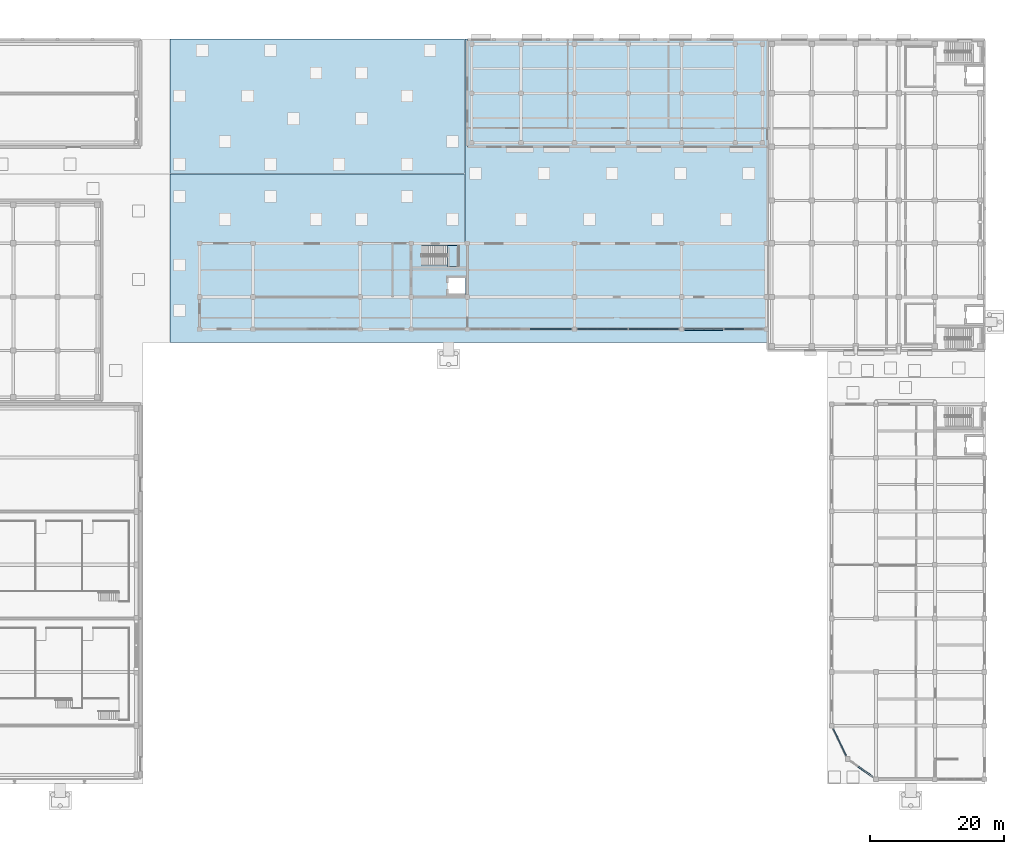
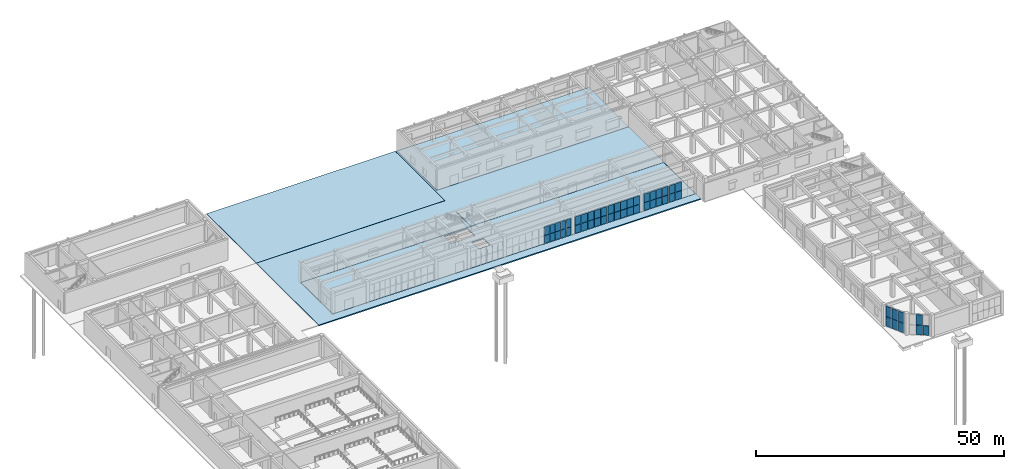
# One storey, part 24 of 46: 51 plates, 5 slabs, 8 elements without a shape of their own.
"""IFC4 building model written with IfcOpenShell, lengths in metres."""

from ifc_helpers import new_model, si_unit, direction, frame, origin, origin_2d, place, context, subcontext, project, spatial, polyline, rectangle, outline, extrude, material, layer, layer_set, type_object, element, aggregate, save


model = new_model("IFC4")

# Units and contexts
model_context = context("Model", 3, precision=1e-05, world=origin(), true_north=direction((0.0, 1.0)))
body_context = subcontext(model_context, "Body", "Model", "MODEL_VIEW")
ifc_project = project(units=[si_unit("LENGTHUNIT", "METRE"), si_unit("AREAUNIT", "SQUARE_METRE"), si_unit("VOLUMEUNIT", "CUBIC_METRE"), si_unit("PLANEANGLEUNIT", "RADIAN"), si_unit("MASSUNIT", "GRAM", prefix="KILO")], contexts=[model_context])

# Site, building, storey
site_placement = place(None, origin())
site = spatial("IfcSite", under=ifc_project, at=site_placement, CompositionType="ELEMENT")
building_placement = place(site_placement, origin())
building = spatial("IfcBuilding", under=site, at=building_placement, Name="Cinchona Park Media Centre", CompositionType="ELEMENT")
storey_placement = place(building_placement, origin())
storey = spatial("IfcBuildingStorey", under=building, at=storey_placement, Name="L00", CompositionType="ELEMENT", Elevation=0.0)

# Curtain wall, plates
ifc_material_1 = material(Name="Aluminium Curtain Wall Framing", Category="aluminium")
ifc_layer_1 = layer(ifc_material_1, 0.22509765625)
ifc_layer_set_1 = layer_set([ifc_layer_1], Name="Aluminium Curtain Wall Framing")
curtain_wall_type_1 = type_object("IfcCurtainWallType", Name="CW-CW04", PredefinedType="USERDEFINED", material=ifc_layer_set_1)
curtain_wall_1_placement = place(storey_placement, origin())
curtain_wall_1 = element("IfcCurtainWall", 1, at=curtain_wall_1_placement, inside=storey, type_object=curtain_wall_type_1, Name="Curtain Wall CW04 L00", ObjectType="UNITISED CURTAIN WALL", PredefinedType="USERDEFINED")
ifc_material_2 = material(Name="Insulated Acoustic Aluminium-Glass Spandrel Cassette", Category="aluminium")
ifc_layer_2 = layer(ifc_material_2, 0.179931640625)
ifc_layer_set_2 = layer_set([ifc_layer_2], Name="Insulated Acoustic Aluminium-Glass Spandrel Cassette")
plate_type_1 = type_object("IfcPlateType", Name="CWPANEL-PNL17", PredefinedType="CURTAIN_PANEL", material=ifc_layer_set_2)
plate_1_placement = place(storey_placement, frame((151.041015625, 11.7646484375, 0.115234375), z_axis=(0.0, 0.0, 1.0), x_axis=(-0.43273106758, 0.901523057471, 0.0)))
plate_1 = element("IfcPlate", 2, at=plate_1_placement, type_object=plate_type_1, Name="CW04 panel 1.1", PredefinedType="CURTAIN_PANEL", context=body_context, shape_type="SweptSolid", body=[
    extrude(rectangle(XDim=1.39990234375, YDim=0.179931640625, at=origin_2d()), origin(), (0.0, 0.0, 1.0), 2.345458984375),
])
plate_2_placement = place(storey_placement, frame((151.041015625, 11.7646484375, 2.525390625), z_axis=(0.0, 0.0, 1.0), x_axis=(-0.43273106758, 0.901523057471, 0.0)))
plate_2 = element("IfcPlate", 3, at=plate_2_placement, type_object=plate_type_1, Name="CW04 panel 1.2", PredefinedType="CURTAIN_PANEL", context=body_context, shape_type="SweptSolid", body=[
    extrude(rectangle(XDim=1.39990234375, YDim=0.179931640625, at=origin_2d()), origin(), (0.0, 0.0, 1.0), 2.549560546875),
])
plate_3_placement = place(storey_placement, frame((150.39990234375, 13.10009765625, 0.115234375), z_axis=(0.0, 0.0, 1.0), x_axis=(-0.43273106758, 0.901523057471, 0.0)))
plate_3 = element("IfcPlate", 4, at=plate_3_placement, type_object=plate_type_1, Name="CW04 panel 2.1", PredefinedType="CURTAIN_PANEL", context=body_context, shape_type="SweptSolid", body=[
    extrude(rectangle(XDim=1.432373046875, YDim=0.179931640625, at=origin_2d()), origin(), (0.0, 0.0, 1.0), 2.345458984375),
])
plate_4_placement = place(storey_placement, frame((150.39990234375, 13.10009765625, 2.525390625), z_axis=(0.0, 0.0, 1.0), x_axis=(-0.43273106758, 0.901523057471, 0.0)))
plate_4 = element("IfcPlate", 5, at=plate_4_placement, type_object=plate_type_1, Name="CW04 panel 2.2", PredefinedType="CURTAIN_PANEL", context=body_context, shape_type="SweptSolid", body=[
    extrude(rectangle(XDim=1.432373046875, YDim=0.179931640625, at=origin_2d()), origin(), (0.0, 0.0, 1.0), 2.549560546875),
])
plate_5_placement = place(storey_placement, frame((149.759033203125, 14.435302734375, 0.115234375), z_axis=(0.0, 0.0, 1.0), x_axis=(-0.43273106758, 0.901523057471, 0.0)))
plate_5 = element("IfcPlate", 6, at=plate_5_placement, type_object=plate_type_1, Name="CW04 panel 3.1", PredefinedType="CURTAIN_PANEL", context=body_context, shape_type="SweptSolid", body=[
    extrude(rectangle(XDim=1.39990234375, YDim=0.179931640625, at=origin_2d()), origin(), (0.0, 0.0, 1.0), 2.345458984375),
])
plate_6_placement = place(storey_placement, frame((149.759033203125, 14.435302734375, 2.525390625), z_axis=(0.0, 0.0, 1.0), x_axis=(-0.43273106758, 0.901523057471, 0.0)))
plate_6 = element("IfcPlate", 7, at=plate_6_placement, type_object=plate_type_1, Name="CW04 panel 3.2", PredefinedType="CURTAIN_PANEL", context=body_context, shape_type="SweptSolid", body=[
    extrude(rectangle(XDim=1.39990234375, YDim=0.179931640625, at=origin_2d()), origin(), (0.0, 0.0, 1.0), 2.549560546875),
])
aggregate(curtain_wall_1, [plate_1, plate_2, plate_3, plate_4, plate_5, plate_6])

curtain_wall_2_placement = place(storey_placement, origin())
curtain_wall_2 = element("IfcCurtainWall", 8, at=curtain_wall_2_placement, inside=storey, type_object=curtain_wall_type_1, Name="Curtain Wall CW04 L00", ObjectType="UNITISED CURTAIN WALL", PredefinedType="USERDEFINED")
ifc_material_3 = material(Name="Insulated Acoustic Aluminium-Glass Spandrel Cassette", Category="aluminium")
ifc_layer_3 = layer(ifc_material_3, 0.18994140625)
ifc_layer_set_3 = layer_set([ifc_layer_3], Name="Insulated Acoustic Aluminium-Glass Spandrel Cassette")
plate_type_2 = type_object("IfcPlateType", Name="CWPANEL-PNL18", PredefinedType="CURTAIN_PANEL", material=ifc_layer_set_3)
plate_7_placement = place(storey_placement, frame((109.73876953125, 74.800048828125, 0.114990234375), z_axis=(0.0, 0.0, 1.0), x_axis=(-1.0, 0.0, 0.0)))
plate_7 = element("IfcPlate", 9, at=plate_7_placement, type_object=plate_type_2, Name="CW04 panel 1.1", PredefinedType="CURTAIN_PANEL", context=body_context, shape_type="SweptSolid", body=[
    extrude(rectangle(XDim=1.152587890625, YDim=0.18994140625, at=origin_2d()), origin(), (0.0, 0.0, 1.0), 1.9375),
])
plate_8_placement = place(storey_placement, frame((109.73876953125, 74.800048828125, 2.117431640625), z_axis=(0.0, 0.0, 1.0), x_axis=(-1.0, 0.0, 0.0)))
plate_8 = element("IfcPlate", 10, at=plate_8_placement, type_object=plate_type_2, Name="CW04 panel 1.2", PredefinedType="CURTAIN_PANEL", context=body_context, shape_type="SweptSolid", body=[
    extrude(rectangle(XDim=1.152587890625, YDim=0.18994140625, at=origin_2d()), origin(), (0.0, 0.0, 1.0), 2.107421875),
])
plate_9_placement = place(storey_placement, frame((108.5048828125, 74.800048828125, 0.114990234375), z_axis=(0.0, 0.0, 1.0), x_axis=(-1.0, 0.0, 0.0)))
plate_9 = element("IfcPlate", 11, at=plate_9_placement, type_object=plate_type_2, Name="CW04 panel 2.1", PredefinedType="CURTAIN_PANEL", context=body_context, shape_type="SweptSolid", body=[
    extrude(rectangle(XDim=1.18505859375, YDim=0.18994140625, at=origin_2d()), origin(), (0.0, 0.0, 1.0), 1.9375),
])
plate_10_placement = place(storey_placement, frame((108.5048828125, 74.800048828125, 2.117431640625), z_axis=(0.0, 0.0, 1.0), x_axis=(-1.0, 0.0, 0.0)))
plate_10 = element("IfcPlate", 12, at=plate_10_placement, type_object=plate_type_2, Name="CW04 panel 2.2", PredefinedType="CURTAIN_PANEL", context=body_context, shape_type="SweptSolid", body=[
    extrude(rectangle(XDim=1.18505859375, YDim=0.18994140625, at=origin_2d()), origin(), (0.0, 0.0, 1.0), 2.107421875),
])
plate_11_placement = place(storey_placement, frame((107.2548828125, 74.800048828125, 0.114990234375), z_axis=(0.0, 0.0, 1.0), x_axis=(-1.0, 0.0, 0.0)))
plate_11 = element("IfcPlate", 13, at=plate_11_placement, type_object=plate_type_2, Name="CW04 panel 3.1", PredefinedType="CURTAIN_PANEL", context=body_context, shape_type="SweptSolid", body=[
    extrude(rectangle(XDim=1.18505859375, YDim=0.18994140625, at=origin_2d()), origin(), (0.0, 0.0, 1.0), 1.9375),
])
plate_12_placement = place(storey_placement, frame((107.2548828125, 74.800048828125, 2.117431640625), z_axis=(0.0, 0.0, 1.0), x_axis=(-1.0, 0.0, 0.0)))
plate_12 = element("IfcPlate", 14, at=plate_12_placement, type_object=plate_type_2, Name="CW04 panel 3.2", PredefinedType="CURTAIN_PANEL", context=body_context, shape_type="SweptSolid", body=[
    extrude(rectangle(XDim=1.18505859375, YDim=0.18994140625, at=origin_2d()), origin(), (0.0, 0.0, 1.0), 2.107421875),
])
plate_13_placement = place(storey_placement, frame((106.0048828125, 74.800048828125, 0.114990234375), z_axis=(0.0, 0.0, 1.0), x_axis=(-1.0, 0.0, 0.0)))
plate_13 = element("IfcPlate", 15, at=plate_13_placement, type_object=plate_type_2, Name="CW04 panel 4.1", PredefinedType="CURTAIN_PANEL", context=body_context, shape_type="SweptSolid", body=[
    extrude(rectangle(XDim=1.18505859375, YDim=0.18994140625, at=origin_2d()), origin(), (0.0, 0.0, 1.0), 1.9375),
])
plate_14_placement = place(storey_placement, frame((106.0048828125, 74.800048828125, 2.117431640625), z_axis=(0.0, 0.0, 1.0), x_axis=(-1.0, 0.0, 0.0)))
plate_14 = element("IfcPlate", 16, at=plate_14_placement, type_object=plate_type_2, Name="CW04 panel 4.2", PredefinedType="CURTAIN_PANEL", context=body_context, shape_type="SweptSolid", body=[
    extrude(rectangle(XDim=1.18505859375, YDim=0.18994140625, at=origin_2d()), origin(), (0.0, 0.0, 1.0), 2.107421875),
])
plate_15_placement = place(storey_placement, frame((104.7548828125, 74.800048828125, 0.114990234375), z_axis=(0.0, 0.0, 1.0), x_axis=(-1.0, 0.0, 0.0)))
plate_15 = element("IfcPlate", 17, at=plate_15_placement, type_object=plate_type_2, Name="CW04 panel 5.1", PredefinedType="CURTAIN_PANEL", context=body_context, shape_type="SweptSolid", body=[
    extrude(rectangle(XDim=1.18505859375, YDim=0.18994140625, at=origin_2d()), origin(), (0.0, 0.0, 1.0), 1.9375),
])
plate_16_placement = place(storey_placement, frame((104.7548828125, 74.800048828125, 2.117431640625), z_axis=(0.0, 0.0, 1.0), x_axis=(-1.0, 0.0, 0.0)))
plate_16 = element("IfcPlate", 18, at=plate_16_placement, type_object=plate_type_2, Name="CW04 panel 5.2", PredefinedType="CURTAIN_PANEL", context=body_context, shape_type="SweptSolid", body=[
    extrude(rectangle(XDim=1.18505859375, YDim=0.18994140625, at=origin_2d()), origin(), (0.0, 0.0, 1.0), 2.107421875),
])
aggregate(curtain_wall_2, [plate_7, plate_8, plate_9, plate_10, plate_11, plate_12, plate_13, plate_14, plate_15, plate_16])

ifc_material_4 = material(Name="Aluminium Curtain Wall Framing", Category="aluminium")
ifc_layer_4 = layer(ifc_material_4, 0.2548828125)
ifc_layer_set_4 = layer_set([ifc_layer_4], Name="Aluminium Curtain Wall Framing")
curtain_wall_type_2 = type_object("IfcCurtainWallType", Name="CW-CW06", PredefinedType="USERDEFINED", material=ifc_layer_set_4)
curtain_wall_3_placement = place(storey_placement, origin())
curtain_wall_3 = element("IfcCurtainWall", 19, at=curtain_wall_3_placement, inside=storey, type_object=curtain_wall_type_2, Name="Curtain Wall CW06 L00", ObjectType="UNITISED CURTAIN WALL", PredefinedType="USERDEFINED")
ifc_material_5 = material(Name="Insulated Acoustic Aluminium-Glass Spandrel Cassette", Category="aluminium")
ifc_layer_5 = layer(ifc_material_5, 0.199951171875)
ifc_layer_set_5 = layer_set([ifc_layer_5], Name="Insulated Acoustic Aluminium-Glass Spandrel Cassette")
plate_type_3 = type_object("IfcPlateType", Name="CWPANEL-PNL19", PredefinedType="CURTAIN_PANEL", material=ifc_layer_set_5)
plate_17_placement = place(storey_placement, frame((154.787353515625, 8.322998046875, 0.125), z_axis=(0.0, 0.0, 1.0), x_axis=(-0.813600504321, 0.581424302355, 0.0)))
plate_17 = element("IfcPlate", 20, at=plate_17_placement, type_object=plate_type_3, Name="CW06 panel 1.1", PredefinedType="CURTAIN_PANEL", context=body_context, shape_type="SweptSolid", body=[
    extrude(rectangle(XDim=1.24267578125, YDim=0.199951171875, at=origin_2d()), origin(), (0.0, 0.0, 1.0), 2.33056640625),
])
plate_18_placement = place(storey_placement, frame((153.699951171875, 9.10009765625, 0.125), z_axis=(0.0, 0.0, 1.0), x_axis=(-0.813600504321, 0.581424302355, 0.0)))
plate_18 = element("IfcPlate", 21, at=plate_18_placement, type_object=plate_type_3, Name="CW06 panel 2.1", PredefinedType="CURTAIN_PANEL", context=body_context, shape_type="SweptSolid", body=[
    extrude(rectangle(XDim=1.2802734375, YDim=0.199951171875, at=origin_2d()), origin(), (0.0, 0.0, 1.0), 2.33056640625),
])
plate_19_placement = place(storey_placement, frame((153.699951171875, 9.10009765625, 2.53076171875), z_axis=(0.0, 0.0, 1.0), x_axis=(-0.813600504321, 0.581424302355, 0.0)))
plate_19 = element("IfcPlate", 22, at=plate_19_placement, type_object=plate_type_3, Name="CW06 panel 2.2", PredefinedType="CURTAIN_PANEL", context=body_context, shape_type="SweptSolid", body=[
    extrude(rectangle(XDim=1.2802734375, YDim=0.199951171875, at=origin_2d()), origin(), (0.0, 0.0, 1.0), 2.534423828125),
])
aggregate(curtain_wall_3, [plate_17, plate_18, plate_19])

curtain_wall_4_placement = place(storey_placement, origin())
curtain_wall_4 = element("IfcCurtainWall", 23, at=curtain_wall_4_placement, inside=storey, type_object=curtain_wall_type_2, Name="Curtain Wall CW06 L00", ObjectType="UNITISED CURTAIN WALL", PredefinedType="USERDEFINED")
ifc_material_6 = material(Name="Insulated Acoustic Aluminium-Glass Spandrel Cassette", Category="aluminium")
ifc_layer_6 = layer(ifc_material_6, 0.219970703125)
ifc_layer_set_6 = layer_set([ifc_layer_6], Name="Insulated Acoustic Aluminium-Glass Spandrel Cassette")
plate_type_4 = type_object("IfcPlateType", Name="CWPANEL-PNL21", PredefinedType="CURTAIN_PANEL", material=ifc_layer_set_6)
plate_20_placement = place(storey_placement, frame((125.611328125, 74.800048828125, 0.125), z_axis=(0.0, 0.0, 1.0), x_axis=(-1.0, 0.0, 0.0)))
plate_20 = element("IfcPlate", 24, at=plate_20_placement, type_object=plate_type_4, Name="CW06 panel 1.1", PredefinedType="CURTAIN_PANEL", context=body_context, shape_type="SweptSolid", body=[
    extrude(rectangle(XDim=1.387451171875, YDim=0.219970703125, at=origin_2d()), origin(), (0.0, 0.0, 1.0), 1.922607421875),
])
plate_21_placement = place(storey_placement, frame((125.611328125, 74.800048828125, 2.12255859375), z_axis=(0.0, 0.0, 1.0), x_axis=(-1.0, 0.0, 0.0)))
plate_21 = element("IfcPlate", 25, at=plate_21_placement, type_object=plate_type_4, Name="CW06 panel 1.2", PredefinedType="CURTAIN_PANEL", context=body_context, shape_type="SweptSolid", body=[
    extrude(rectangle(XDim=1.387451171875, YDim=0.219970703125, at=origin_2d()), origin(), (0.0, 0.0, 1.0), 2.092529296875),
])
plate_22_placement = place(storey_placement, frame((124.1298828125, 74.800048828125, 0.125), z_axis=(0.0, 0.0, 1.0), x_axis=(-1.0, 0.0, 0.0)))
plate_22 = element("IfcPlate", 26, at=plate_22_placement, type_object=plate_type_4, Name="CW06 panel 2.1", PredefinedType="CURTAIN_PANEL", context=body_context, shape_type="SweptSolid", body=[
    extrude(rectangle(XDim=1.425048828125, YDim=0.219970703125, at=origin_2d()), origin(), (0.0, 0.0, 1.0), 1.922607421875),
])
plate_23_placement = place(storey_placement, frame((124.1298828125, 74.800048828125, 2.12255859375), z_axis=(0.0, 0.0, 1.0), x_axis=(-1.0, 0.0, 0.0)))
plate_23 = element("IfcPlate", 27, at=plate_23_placement, type_object=plate_type_4, Name="CW06 panel 2.2", PredefinedType="CURTAIN_PANEL", context=body_context, shape_type="SweptSolid", body=[
    extrude(rectangle(XDim=1.425048828125, YDim=0.219970703125, at=origin_2d()), origin(), (0.0, 0.0, 1.0), 2.092529296875),
])
plate_24_placement = place(storey_placement, frame((122.6298828125, 74.800048828125, 0.125), z_axis=(0.0, 0.0, 1.0), x_axis=(-1.0, 0.0, 0.0)))
plate_24 = element("IfcPlate", 28, at=plate_24_placement, type_object=plate_type_4, Name="CW06 panel 3.1", PredefinedType="CURTAIN_PANEL", context=body_context, shape_type="SweptSolid", body=[
    extrude(rectangle(XDim=1.425048828125, YDim=0.219970703125, at=origin_2d()), origin(), (0.0, 0.0, 1.0), 1.922607421875),
])
plate_25_placement = place(storey_placement, frame((122.6298828125, 74.800048828125, 2.12255859375), z_axis=(0.0, 0.0, 1.0), x_axis=(-1.0, 0.0, 0.0)))
plate_25 = element("IfcPlate", 29, at=plate_25_placement, type_object=plate_type_4, Name="CW06 panel 3.2", PredefinedType="CURTAIN_PANEL", context=body_context, shape_type="SweptSolid", body=[
    extrude(rectangle(XDim=1.425048828125, YDim=0.219970703125, at=origin_2d()), origin(), (0.0, 0.0, 1.0), 2.092529296875),
])
plate_26_placement = place(storey_placement, frame((121.1298828125, 74.800048828125, 0.125), z_axis=(0.0, 0.0, 1.0), x_axis=(-1.0, 0.0, 0.0)))
plate_26 = element("IfcPlate", 30, at=plate_26_placement, type_object=plate_type_4, Name="CW06 panel 4.1", PredefinedType="CURTAIN_PANEL", context=body_context, shape_type="SweptSolid", body=[
    extrude(rectangle(XDim=1.425048828125, YDim=0.219970703125, at=origin_2d()), origin(), (0.0, 0.0, 1.0), 1.922607421875),
])
plate_27_placement = place(storey_placement, frame((121.1298828125, 74.800048828125, 2.12255859375), z_axis=(0.0, 0.0, 1.0), x_axis=(-1.0, 0.0, 0.0)))
plate_27 = element("IfcPlate", 31, at=plate_27_placement, type_object=plate_type_4, Name="CW06 panel 4.2", PredefinedType="CURTAIN_PANEL", context=body_context, shape_type="SweptSolid", body=[
    extrude(rectangle(XDim=1.425048828125, YDim=0.219970703125, at=origin_2d()), origin(), (0.0, 0.0, 1.0), 2.092529296875),
])
plate_28_placement = place(storey_placement, frame((119.648681640625, 74.800048828125, 0.125), z_axis=(0.0, 0.0, 1.0), x_axis=(-1.0, 0.0, 0.0)))
plate_28 = element("IfcPlate", 32, at=plate_28_placement, type_object=plate_type_4, Name="CW06 panel 5.1", PredefinedType="CURTAIN_PANEL", context=body_context, shape_type="SweptSolid", body=[
    extrude(rectangle(XDim=1.387451171875, YDim=0.219970703125, at=origin_2d()), origin(), (0.0, 0.0, 1.0), 1.922607421875),
])
plate_29_placement = place(storey_placement, frame((119.648681640625, 74.800048828125, 2.12255859375), z_axis=(0.0, 0.0, 1.0), x_axis=(-1.0, 0.0, 0.0)))
plate_29 = element("IfcPlate", 33, at=plate_29_placement, type_object=plate_type_4, Name="CW06 panel 5.2", PredefinedType="CURTAIN_PANEL", context=body_context, shape_type="SweptSolid", body=[
    extrude(rectangle(XDim=1.387451171875, YDim=0.219970703125, at=origin_2d()), origin(), (0.0, 0.0, 1.0), 2.092529296875),
])
aggregate(curtain_wall_4, [plate_20, plate_21, plate_22, plate_23, plate_24, plate_25, plate_26, plate_27, plate_28, plate_29])

ifc_material_7 = material(Name="Aluminium Curtain Wall Framing", Category="aluminium")
ifc_layer_7 = layer(ifc_material_7, 0.27001953125)
ifc_layer_set_7 = layer_set([ifc_layer_7], Name="Aluminium Curtain Wall Framing")
curtain_wall_type_3 = type_object("IfcCurtainWallType", Name="CW-CW07", PredefinedType="USERDEFINED", material=ifc_layer_set_7)
curtain_wall_5_placement = place(storey_placement, origin())
curtain_wall_5 = element("IfcCurtainWall", 34, at=curtain_wall_5_placement, inside=storey, type_object=curtain_wall_type_3, Name="Curtain Wall CW07 L00", ObjectType="UNITISED CURTAIN WALL", PredefinedType="USERDEFINED")
ifc_material_8 = material(Name="Insulated Acoustic Aluminium-Glass Spandrel Cassette", Category="aluminium")
ifc_layer_8 = layer(ifc_material_8, 0.239990234375)
ifc_layer_set_8 = layer_set([ifc_layer_8], Name="Insulated Acoustic Aluminium-Glass Spandrel Cassette")
plate_type_5 = type_object("IfcPlateType", Name="CWPANEL-PNL23", PredefinedType="CURTAIN_PANEL", material=ifc_layer_set_8)
plate_30_placement = place(storey_placement, frame((117.951171875, 74.800048828125, 0.125), z_axis=(0.0, 0.0, 1.0), x_axis=(-1.0, 0.0, 0.0)))
plate_30 = element("IfcPlate", 35, at=plate_30_placement, type_object=plate_type_5, Name="CW07 panel 1.1", PredefinedType="CURTAIN_PANEL", context=body_context, shape_type="SweptSolid", body=[
    extrude(rectangle(XDim=1.387451171875, YDim=0.239990234375, at=origin_2d()), origin(), (0.0, 0.0, 1.0), 1.922607421875),
])
plate_31_placement = place(storey_placement, frame((117.951171875, 74.800048828125, 2.12255859375), z_axis=(0.0, 0.0, 1.0), x_axis=(-1.0, 0.0, 0.0)))
plate_31 = element("IfcPlate", 36, at=plate_31_placement, type_object=plate_type_5, Name="CW07 panel 1.2", PredefinedType="CURTAIN_PANEL", context=body_context, shape_type="SweptSolid", body=[
    extrude(rectangle(XDim=1.387451171875, YDim=0.239990234375, at=origin_2d()), origin(), (0.0, 0.0, 1.0), 2.092529296875),
])
plate_32_placement = place(storey_placement, frame((116.469970703125, 74.800048828125, 0.125), z_axis=(0.0, 0.0, 1.0), x_axis=(-1.0, 0.0, 0.0)))
plate_32 = element("IfcPlate", 37, at=plate_32_placement, type_object=plate_type_5, Name="CW07 panel 2.1", PredefinedType="CURTAIN_PANEL", context=body_context, shape_type="SweptSolid", body=[
    extrude(rectangle(XDim=1.425048828125, YDim=0.239990234375, at=origin_2d()), origin(), (0.0, 0.0, 1.0), 1.922607421875),
])
plate_33_placement = place(storey_placement, frame((116.469970703125, 74.800048828125, 2.12255859375), z_axis=(0.0, 0.0, 1.0), x_axis=(-1.0, 0.0, 0.0)))
plate_33 = element("IfcPlate", 38, at=plate_33_placement, type_object=plate_type_5, Name="CW07 panel 2.2", PredefinedType="CURTAIN_PANEL", context=body_context, shape_type="SweptSolid", body=[
    extrude(rectangle(XDim=1.425048828125, YDim=0.239990234375, at=origin_2d()), origin(), (0.0, 0.0, 1.0), 2.092529296875),
])
plate_34_placement = place(storey_placement, frame((114.969970703125, 74.800048828125, 0.125), z_axis=(0.0, 0.0, 1.0), x_axis=(-1.0, 0.0, 0.0)))
plate_34 = element("IfcPlate", 39, at=plate_34_placement, type_object=plate_type_5, Name="CW07 panel 3.1", PredefinedType="CURTAIN_PANEL", context=body_context, shape_type="SweptSolid", body=[
    extrude(rectangle(XDim=1.425048828125, YDim=0.239990234375, at=origin_2d()), origin(), (0.0, 0.0, 1.0), 1.922607421875),
])
plate_35_placement = place(storey_placement, frame((114.969970703125, 74.800048828125, 2.12255859375), z_axis=(0.0, 0.0, 1.0), x_axis=(-1.0, 0.0, 0.0)))
plate_35 = element("IfcPlate", 40, at=plate_35_placement, type_object=plate_type_5, Name="CW07 panel 3.2", PredefinedType="CURTAIN_PANEL", context=body_context, shape_type="SweptSolid", body=[
    extrude(rectangle(XDim=1.425048828125, YDim=0.239990234375, at=origin_2d()), origin(), (0.0, 0.0, 1.0), 2.092529296875),
])
plate_36_placement = place(storey_placement, frame((113.469970703125, 74.800048828125, 0.125), z_axis=(0.0, 0.0, 1.0), x_axis=(-1.0, 0.0, 0.0)))
plate_36 = element("IfcPlate", 41, at=plate_36_placement, type_object=plate_type_5, Name="CW07 panel 4.1", PredefinedType="CURTAIN_PANEL", context=body_context, shape_type="SweptSolid", body=[
    extrude(rectangle(XDim=1.425048828125, YDim=0.239990234375, at=origin_2d()), origin(), (0.0, 0.0, 1.0), 1.922607421875),
])
plate_37_placement = place(storey_placement, frame((113.469970703125, 74.800048828125, 2.12255859375), z_axis=(0.0, 0.0, 1.0), x_axis=(-1.0, 0.0, 0.0)))
plate_37 = element("IfcPlate", 42, at=plate_37_placement, type_object=plate_type_5, Name="CW07 panel 4.2", PredefinedType="CURTAIN_PANEL", context=body_context, shape_type="SweptSolid", body=[
    extrude(rectangle(XDim=1.425048828125, YDim=0.239990234375, at=origin_2d()), origin(), (0.0, 0.0, 1.0), 2.092529296875),
])
plate_38_placement = place(storey_placement, frame((111.98876953125, 74.800048828125, 0.125), z_axis=(0.0, 0.0, 1.0), x_axis=(-1.0, 0.0, 0.0)))
plate_38 = element("IfcPlate", 43, at=plate_38_placement, type_object=plate_type_5, Name="CW07 panel 5.1", PredefinedType="CURTAIN_PANEL", context=body_context, shape_type="SweptSolid", body=[
    extrude(rectangle(XDim=1.387451171875, YDim=0.239990234375, at=origin_2d()), origin(), (0.0, 0.0, 1.0), 1.922607421875),
])
plate_39_placement = place(storey_placement, frame((111.98876953125, 74.800048828125, 2.12255859375), z_axis=(0.0, 0.0, 1.0), x_axis=(-1.0, 0.0, 0.0)))
plate_39 = element("IfcPlate", 44, at=plate_39_placement, type_object=plate_type_5, Name="CW07 panel 5.2", PredefinedType="CURTAIN_PANEL", context=body_context, shape_type="SweptSolid", body=[
    extrude(rectangle(XDim=1.387451171875, YDim=0.239990234375, at=origin_2d()), origin(), (0.0, 0.0, 1.0), 2.092529296875),
])
aggregate(curtain_wall_5, [plate_30, plate_31, plate_32, plate_33, plate_34, plate_35, plate_36, plate_37, plate_38, plate_39])

ifc_material_9 = material(Name="Aluminium Curtain Wall Framing", Category="aluminium")
ifc_layer_9 = layer(ifc_material_9, 0.284912109375)
ifc_layer_set_9 = layer_set([ifc_layer_9], Name="Aluminium Curtain Wall Framing")
curtain_wall_type_4 = type_object("IfcCurtainWallType", Name="CW-CW08", PredefinedType="USERDEFINED", material=ifc_layer_set_9)
curtain_wall_6_placement = place(storey_placement, origin())
curtain_wall_6 = element("IfcCurtainWall", 45, at=curtain_wall_6_placement, inside=storey, type_object=curtain_wall_type_4, Name="Curtain Wall CW08 L00", ObjectType="UNITISED CURTAIN WALL", PredefinedType="USERDEFINED")
ifc_material_10 = material(Name="Insulated Acoustic Aluminium-Glass Spandrel Cassette", Category="aluminium")
ifc_layer_10 = layer(ifc_material_10, 0.25)
ifc_layer_set_10 = layer_set([ifc_layer_10], Name="Insulated Acoustic Aluminium-Glass Spandrel Cassette")
plate_type_6 = type_object("IfcPlateType", Name="CWPANEL-PNL24", PredefinedType="CURTAIN_PANEL", material=ifc_layer_set_10)
plate_40_placement = place(storey_placement, frame((135.35498046875, 74.800048828125, 0.1201171875), z_axis=(0.0, 0.0, 1.0), x_axis=(-1.0, 0.0, 0.0)))
plate_40 = element("IfcPlate", 46, at=plate_40_placement, type_object=plate_type_6, Name="CW08 panel 3.1", PredefinedType="CURTAIN_PANEL", context=body_context, shape_type="SweptSolid", body=[
    extrude(rectangle(XDim=1.3798828125, YDim=0.25, at=origin_2d()), origin(), (0.0, 0.0, 1.0), 1.929931640625),
])
plate_41_placement = place(storey_placement, frame((135.35498046875, 74.800048828125, 2.119873046875), z_axis=(0.0, 0.0, 1.0), x_axis=(-1.0, 0.0, 0.0)))
plate_41 = element("IfcPlate", 47, at=plate_41_placement, type_object=plate_type_6, Name="CW08 panel 3.2", PredefinedType="CURTAIN_PANEL", context=body_context, shape_type="SweptSolid", body=[
    extrude(rectangle(XDim=1.3798828125, YDim=0.25, at=origin_2d()), origin(), (0.0, 0.0, 1.0), 2.10009765625),
])
plate_42_placement = place(storey_placement, frame((133.922607421875, 74.800048828125, 0.1201171875), z_axis=(0.0, 0.0, 1.0), x_axis=(-1.0, 0.0, 0.0)))
plate_42 = element("IfcPlate", 48, at=plate_42_placement, type_object=plate_type_6, Name="CW08 panel 4.1", PredefinedType="CURTAIN_PANEL", context=body_context, shape_type="SweptSolid", body=[
    extrude(rectangle(XDim=1.344970703125, YDim=0.25, at=origin_2d()), origin(), (0.0, 0.0, 1.0), 1.929931640625),
])
plate_43_placement = place(storey_placement, frame((133.922607421875, 74.800048828125, 2.119873046875), z_axis=(0.0, 0.0, 1.0), x_axis=(-1.0, 0.0, 0.0)))
plate_43 = element("IfcPlate", 49, at=plate_43_placement, type_object=plate_type_6, Name="CW08 panel 4.2", PredefinedType="CURTAIN_PANEL", context=body_context, shape_type="SweptSolid", body=[
    extrude(rectangle(XDim=1.344970703125, YDim=0.25, at=origin_2d()), origin(), (0.0, 0.0, 1.0), 2.10009765625),
])
aggregate(curtain_wall_6, [plate_40, plate_41, plate_42, plate_43])

ifc_material_11 = material(Name="Aluminium Curtain Wall Framing", Category="aluminium")
ifc_layer_11 = layer(ifc_material_11, 0.300048828125)
ifc_layer_set_11 = layer_set([ifc_layer_11], Name="Aluminium Curtain Wall Framing")
curtain_wall_type_5 = type_object("IfcCurtainWallType", Name="CW-CW09", PredefinedType="USERDEFINED", material=ifc_layer_set_11)
curtain_wall_7_placement = place(storey_placement, origin())
curtain_wall_7 = element("IfcCurtainWall", 50, at=curtain_wall_7_placement, inside=storey, type_object=curtain_wall_type_5, Name="Curtain Wall CW09 L00", ObjectType="UNITISED CURTAIN WALL", PredefinedType="USERDEFINED")
ifc_material_12 = material(Name="Insulated Acoustic Aluminium-Glass Spandrel Cassette", Category="aluminium")
ifc_layer_12 = layer(ifc_material_12, 0.27001953125)
ifc_layer_set_12 = layer_set([ifc_layer_12], Name="Insulated Acoustic Aluminium-Glass Spandrel Cassette")
plate_type_7 = type_object("IfcPlateType", Name="CWPANEL-PNL26", PredefinedType="CURTAIN_PANEL", material=ifc_layer_set_12)
plate_44_placement = place(storey_placement, frame((132.277587890625, 74.800048828125, 0.1201171875), z_axis=(0.0, 0.0, 1.0), x_axis=(-1.0, 0.0, 0.0)))
plate_44 = element("IfcPlate", 51, at=plate_44_placement, type_object=plate_type_7, Name="CW09 panel 1.1", PredefinedType="CURTAIN_PANEL", context=body_context, shape_type="SweptSolid", body=[
    extrude(rectangle(XDim=1.344970703125, YDim=0.27001953125, at=origin_2d()), origin(), (0.0, 0.0, 1.0), 1.929931640625),
])
plate_45_placement = place(storey_placement, frame((132.277587890625, 74.800048828125, 2.119873046875), z_axis=(0.0, 0.0, 1.0), x_axis=(-1.0, 0.0, 0.0)))
plate_45 = element("IfcPlate", 52, at=plate_45_placement, type_object=plate_type_7, Name="CW09 panel 1.2", PredefinedType="CURTAIN_PANEL", context=body_context, shape_type="SweptSolid", body=[
    extrude(rectangle(XDim=1.344970703125, YDim=0.27001953125, at=origin_2d()), origin(), (0.0, 0.0, 1.0), 2.10009765625),
])
plate_46_placement = place(storey_placement, frame((130.844970703125, 74.800048828125, 0.1201171875), z_axis=(0.0, 0.0, 1.0), x_axis=(-1.0, 0.0, 0.0)))
plate_46 = element("IfcPlate", 53, at=plate_46_placement, type_object=plate_type_7, Name="CW09 panel 2.1", PredefinedType="CURTAIN_PANEL", context=body_context, shape_type="SweptSolid", body=[
    extrude(rectangle(XDim=1.3798828125, YDim=0.27001953125, at=origin_2d()), origin(), (0.0, 0.0, 1.0), 1.929931640625),
])
plate_47_placement = place(storey_placement, frame((130.844970703125, 74.800048828125, 2.119873046875), z_axis=(0.0, 0.0, 1.0), x_axis=(-1.0, 0.0, 0.0)))
plate_47 = element("IfcPlate", 54, at=plate_47_placement, type_object=plate_type_7, Name="CW09 panel 2.2", PredefinedType="CURTAIN_PANEL", context=body_context, shape_type="SweptSolid", body=[
    extrude(rectangle(XDim=1.3798828125, YDim=0.27001953125, at=origin_2d()), origin(), (0.0, 0.0, 1.0), 2.10009765625),
])
plate_48_placement = place(storey_placement, frame((129.39501953125, 74.800048828125, 0.1201171875), z_axis=(0.0, 0.0, 1.0), x_axis=(-1.0, 0.0, 0.0)))
plate_48 = element("IfcPlate", 55, at=plate_48_placement, type_object=plate_type_7, Name="CW09 panel 3.1", PredefinedType="CURTAIN_PANEL", context=body_context, shape_type="SweptSolid", body=[
    extrude(rectangle(XDim=1.3798828125, YDim=0.27001953125, at=origin_2d()), origin(), (0.0, 0.0, 1.0), 1.929931640625),
])
plate_49_placement = place(storey_placement, frame((129.39501953125, 74.800048828125, 2.119873046875), z_axis=(0.0, 0.0, 1.0), x_axis=(-1.0, 0.0, 0.0)))
plate_49 = element("IfcPlate", 56, at=plate_49_placement, type_object=plate_type_7, Name="CW09 panel 3.2", PredefinedType="CURTAIN_PANEL", context=body_context, shape_type="SweptSolid", body=[
    extrude(rectangle(XDim=1.3798828125, YDim=0.27001953125, at=origin_2d()), origin(), (0.0, 0.0, 1.0), 2.10009765625),
])
plate_50_placement = place(storey_placement, frame((127.96240234375, 74.800048828125, 0.1201171875), z_axis=(0.0, 0.0, 1.0), x_axis=(-1.0, 0.0, 0.0)))
plate_50 = element("IfcPlate", 57, at=plate_50_placement, type_object=plate_type_7, Name="CW09 panel 4.1", PredefinedType="CURTAIN_PANEL", context=body_context, shape_type="SweptSolid", body=[
    extrude(rectangle(XDim=1.344970703125, YDim=0.27001953125, at=origin_2d()), origin(), (0.0, 0.0, 1.0), 1.929931640625),
])
plate_51_placement = place(storey_placement, frame((127.96240234375, 74.800048828125, 2.119873046875), z_axis=(0.0, 0.0, 1.0), x_axis=(-1.0, 0.0, 0.0)))
plate_51 = element("IfcPlate", 58, at=plate_51_placement, type_object=plate_type_7, Name="CW09 panel 4.2", PredefinedType="CURTAIN_PANEL", context=body_context, shape_type="SweptSolid", body=[
    extrude(rectangle(XDim=1.344970703125, YDim=0.27001953125, at=origin_2d()), origin(), (0.0, 0.0, 1.0), 2.10009765625),
])
aggregate(curtain_wall_7, [plate_44, plate_45, plate_46, plate_47, plate_48, plate_49, plate_50, plate_51])

# Stair, slab
ifc_material_13 = material(Name="Concrete C35/45", Category="concrete")
stair_type = type_object("IfcStairType", Name="STAIR-ST5-HT54", PredefinedType="HALF_TURN_STAIR", material=ifc_material_13)
stair_placement = place(storey_placement, origin())
stair = element("IfcStair", 59, at=stair_placement, inside=storey, type_object=stair_type, Name="Exit Stair ST5 L00", PredefinedType="HALF_TURN_STAIR")
ifc_material_14 = material(Name="Concrete C35/45", Category="concrete")
ifc_layer_13 = layer(ifc_material_14, 0.205078125)
ifc_layer_set_13 = layer_set([ifc_layer_13], Name="Concrete C35/45")
slab_type_1 = type_object("IfcSlabType", Name="LANDING-LDG01", PredefinedType="LANDING", material=ifc_layer_set_13)
slab_1_placement = place(storey_placement, frame((0.0, 0.0, 2.4951171875)))
slab_1 = element("IfcSlab", 60, at=slab_1_placement, type_object=slab_type_1, Name="ST5 landing 1", PredefinedType="LANDING", context=body_context, shape_type="SweptSolid", body=[
    extrude(outline(polyline([(91.820068359375, 84.155029296875), (93.47998046875, 84.155029296875), (93.47998046875, 87.280029296875), (91.820068359375, 87.280029296875), (91.820068359375, 84.155029296875)])), origin(), (0.0, 0.0, 1.0), 0.204833984375),
])
aggregate(stair, [slab_1])

# Slabs
ifc_material_15 = material(Name="Concrete C35/45", Category="concrete")
ifc_layer_14 = layer(ifc_material_15, 0.27001953125)
ifc_layer_set_14 = layer_set([ifc_layer_14], Name="Concrete C35/45")
slab_type_2 = type_object("IfcSlabType", Name="SLAB-PLZ01-270", PredefinedType="FLOOR", material=ifc_layer_set_14)
slab_2_placement = place(storey_placement, frame((0.0, 0.0, -0.27001953125)))
element("IfcSlab", 61, at=slab_2_placement, inside=storey, type_object=slab_type_2, Name="Landscaped Park Court Plaza Deck 4", PredefinedType="FLOOR", context=body_context, shape_type="SweptSolid", body=[
    extrude(outline(polyline([(139.5400390625, 118.10009765625), (139.5400390625, 72.800048828125), (50.409912109375, 72.800048828125), (50.409912109375, 97.989990234375), (94.389892578125, 97.989990234375), (94.389892578125, 87.614990234375), (54.784912109375, 87.614990234375), (54.784912109375, 74.784912109375), (139.4150390625, 74.784912109375), (139.4150390625, 87.614990234375), (94.409912109375, 87.614990234375), (94.409912109375, 118.10009765625), (139.5400390625, 118.10009765625)]), holes=[polyline([(94.784912109375, 118.014892578125), (94.784912109375, 101.985107421875), (139.514892578125, 101.985107421875), (139.514892578125, 118.014892578125), (94.784912109375, 118.014892578125)])]), origin(), (0.0, 0.0, 1.0), 0.27001953125),
])
slab_3_placement = place(storey_placement, frame((0.0, 0.0, -0.27001953125)))
element("IfcSlab", 62, at=slab_3_placement, inside=storey, type_object=slab_type_2, Name="Landscaped Park Court Plaza Deck 5", PredefinedType="FLOOR", context=body_context, shape_type="SweptSolid", body=[
    extrude(outline(polyline([(94.389892578125, 118.10009765625), (94.389892578125, 98.010009765625), (50.409912109375, 98.010009765625), (50.409912109375, 118.10009765625), (94.389892578125, 118.10009765625)])), origin(), (0.0, 0.0, 1.0), 0.27001953125),
])
ifc_material_16 = material(Name="Concrete C35/45", Category="concrete")
ifc_layer_15 = layer(ifc_material_16, 0.35009765625)
ifc_layer_set_15 = layer_set([ifc_layer_15], Name="Concrete C35/45")
slab_type_3 = type_object("IfcSlabType", Name="SLAB-SL01-350", PredefinedType="FLOOR", material=ifc_layer_set_15)
slab_4_placement = place(storey_placement, frame((0.0, 0.0, -0.35009765625)))
element("IfcSlab", 63, at=slab_4_placement, inside=storey, type_object=slab_type_3, Name="Film Archive Vault Floor Slab V3 L00", PredefinedType="FLOOR", context=body_context, shape_type="SweptSolid", body=[
    extrude(outline(polyline([(94.800048828125, 102.0), (139.5, 102.0), (139.5, 118.0), (94.800048828125, 118.0), (94.800048828125, 102.0)])), origin(), (0.0, 0.0, 1.0), 0.35009765625),
])
ifc_material_17 = material(Name="Concrete C35/45", Category="concrete")
ifc_layer_16 = layer(ifc_material_17, 0.280029296875)
ifc_layer_set_16 = layer_set([ifc_layer_16], Name="Concrete C35/45")
slab_type_4 = type_object("IfcSlabType", Name="SLAB-SL04-280", PredefinedType="FLOOR", material=ifc_layer_set_16)
slab_5_placement = place(storey_placement, frame((0.0, 0.0, -0.280029296875)))
element("IfcSlab", 64, at=slab_5_placement, inside=storey, type_object=slab_type_4, Name="Floor Slab V5 L00", PredefinedType="FLOOR", context=body_context, shape_type="SweptSolid", body=[
    extrude(outline(polyline([(54.800048828125, 74.800048828125), (139.39990234375, 74.800048828125), (139.39990234375, 87.60009765625), (54.800048828125, 87.60009765625), (54.800048828125, 74.800048828125)]), holes=[polyline([(87.93505859375, 84.300048828125), (93.5, 84.300048828125), (93.5, 87.300048828125), (87.93505859375, 87.300048828125), (87.93505859375, 84.300048828125)]), polyline([(91.800048828125, 79.89990234375), (94.5, 79.89990234375), (94.5, 82.60009765625), (91.800048828125, 82.60009765625), (91.800048828125, 79.89990234375)])]), origin(), (0.0, 0.0, 1.0), 0.280029296875),
])

save(model, "model.ifc")
